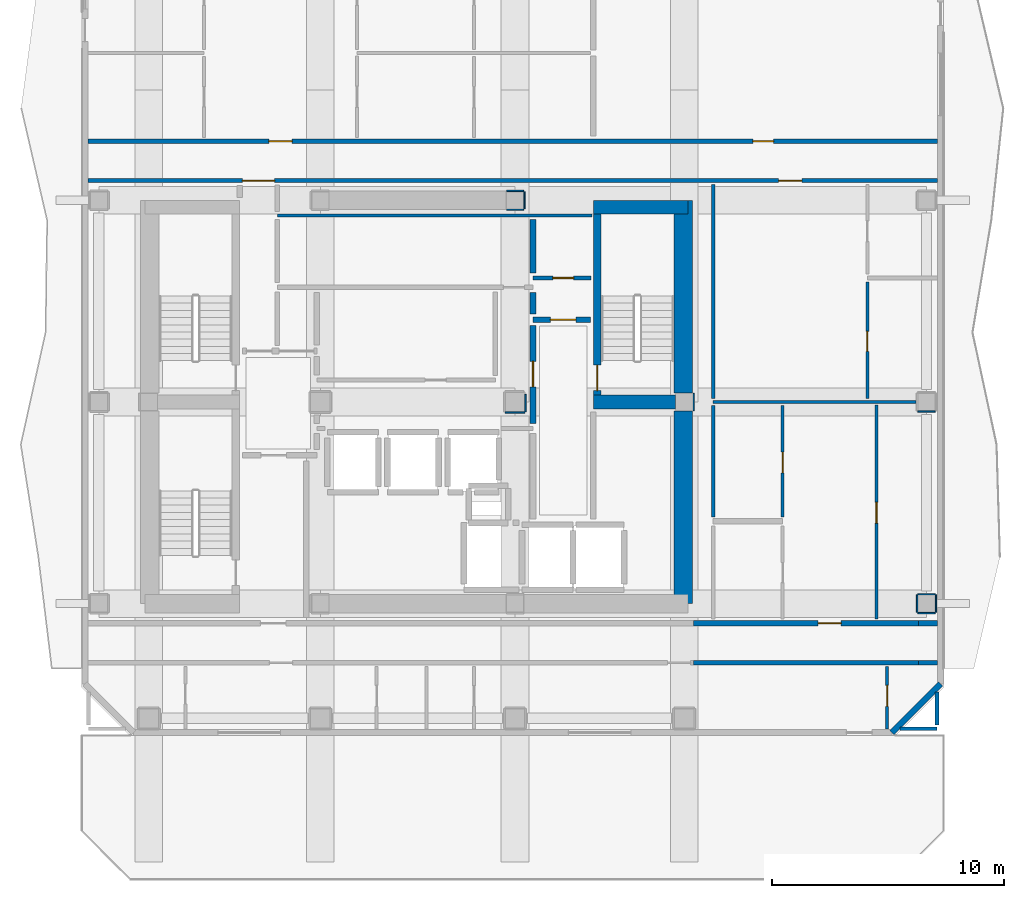
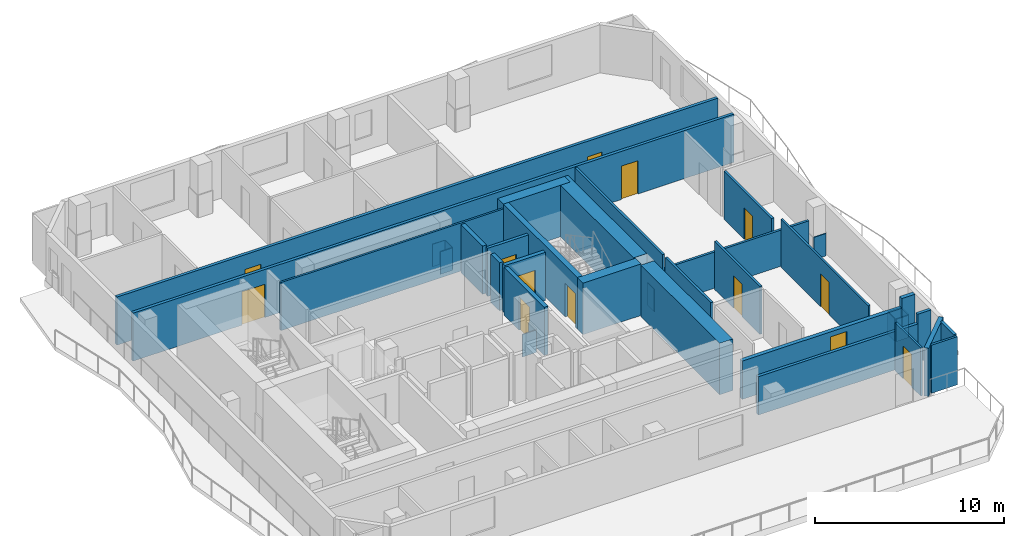
# One storey, part 4 of 9: 38 walls, 13 doors, 13 openings.
"""IFC4 building model written with IfcOpenShell, lengths in metres."""

from ifc_helpers import new_model, si_unit, direction, frame, frame_2d, origin, place, context, subcontext, project, spatial, rectangle, extrude, material, layer, layer_set, type_object, element, fill, save


model = new_model("IFC4")

# Units and contexts
model_context = context("Model", 3, precision=1e-05, world=origin(), true_north=direction((0.0, 1.0)))
body_context = subcontext(model_context, "Body", "Model", "MODEL_VIEW")
ifc_project = project(units=[si_unit("LENGTHUNIT", "METRE"), si_unit("AREAUNIT", "SQUARE_METRE"), si_unit("VOLUMEUNIT", "CUBIC_METRE"), si_unit("PLANEANGLEUNIT", "RADIAN"), si_unit("MASSUNIT", "GRAM", prefix="KILO")], contexts=[model_context])

# Site, building, storey
site_placement = place(None, origin())
site = spatial("IfcSite", under=ifc_project, at=site_placement, CompositionType="ELEMENT")
building_placement = place(site_placement, origin())
building = spatial("IfcBuilding", under=site, at=building_placement, Name="Solanera Arch Residences", CompositionType="ELEMENT")
storey_placement = place(building_placement, frame((0.0, 0.0, 231.280029296875)))
storey = spatial("IfcBuildingStorey", under=building, at=storey_placement, Name="L67", CompositionType="ELEMENT", Elevation=231.280029296875)

# Walls
ifc_material_1 = material(Name="Fire-Rated Gypsum Stud Partition", Category="gypsum")
ifc_layer_1 = layer(ifc_material_1, 0.06005859375)
ifc_layer_set_1 = layer_set([ifc_layer_1], Name="Fire-Rated Gypsum Stud Partition")
wall_type_1 = type_object("IfcWallType", Name="Column Acoustic Furring Wall 60", PredefinedType="PARTITIONING", material=ifc_layer_set_1)
for number, where, z_axis, x_axis, name in (
    (1, (28.8330078125, 38.992919921875, 0.0), (0.0, 0.0, 1.0), (1.0, 0.0, 0.0), "L67 Column Furring 4S"),
    (2, (28.8330078125, 39.806884765625, 0.0), (0.0, 0.0, 1.0), (1.0, 0.0, 0.0), "L67 Column Furring 4N"),
):
    element("IfcWall", number, at=place(storey_placement, frame(where, z_axis=z_axis, x_axis=x_axis)), inside=storey, type_object=wall_type_1, Name=name, PredefinedType="PARTITIONING", context=body_context, shape_type="SweptSolid", body=[
        extrude(rectangle(XDim=0.741943359375, YDim=0.06005859375, at=frame_2d((0.37109375, 0.0))), origin(), (0.0, 0.0, 1.0), 1.449951171875),
    ])
for number, where, z_axis, x_axis, name in (
    (3, (29.60693359375, 39.02490234375, 0.0), (0.0, 0.0, 1.0), (0.0, 1.0, 0.0), "L67 Column Furring 4E"),
    (4, (36.906982421875, 30.324951171875, 0.0), (0.0, 0.0, 1.0), (0.0, 1.0, 0.0), "L67 Column Furring 6E"),
):
    element("IfcWall", number, at=place(storey_placement, frame(where, z_axis=z_axis, x_axis=x_axis)), inside=storey, type_object=wall_type_1, Name=name, PredefinedType="PARTITIONING", context=body_context, shape_type="SweptSolid", body=[
        extrude(rectangle(XDim=0.75, YDim=0.06005859375, at=frame_2d((0.375, 0.0))), origin(), (0.0, 0.0, 1.0), 1.449951171875),
    ])
wall_1_placement = place(storey_placement, frame((28.77490234375, 30.242919921875, 0.0), z_axis=(0.0, 0.0, 1.0), x_axis=(1.0, 0.0, 0.0)))
element("IfcWall", 5, at=wall_1_placement, inside=storey, type_object=wall_type_1, Name="L67 Column Furring 8S", PredefinedType="PARTITIONING", context=body_context, shape_type="SweptSolid", body=[
    extrude(rectangle(XDim=0.85009765625, YDim=0.06005859375, at=frame_2d((0.425048828125, 0.0))), origin(), (0.0, 0.0, 1.0), 1.449951171875),
])
wall_2_placement = place(storey_placement, frame((29.656982421875, 30.27490234375, 0.0), z_axis=(0.0, 0.0, 1.0), x_axis=(0.0, 1.0, 0.0)))
element("IfcWall", 6, at=wall_2_placement, inside=storey, type_object=wall_type_1, Name="L67 Column Furring 8E", PredefinedType="PARTITIONING", context=body_context, shape_type="SweptSolid", body=[
    extrude(rectangle(XDim=0.757080078125, YDim=0.06005859375, at=frame_2d((0.37841796875, 0.0))), origin(), (0.0, 0.0, 1.0), 1.449951171875),
])
for number, where, z_axis, x_axis, name in (
    (7, (46.574951171875, 21.593017578125, 0.0), (0.0, 0.0, 1.0), (1.0, 0.0, 0.0), "L67 Column Furring 18S"),
    (8, (46.574951171875, 22.406982421875, 0.0), (0.0, 0.0, 1.0), (1.0, 0.0, 0.0), "L67 Column Furring 18N"),
    (9, (46.54296875, 21.625, 0.0), (0.0, 0.0, 1.0), (0.0, 1.0, 0.0), "L67 Column Furring 18W"),
    (10, (47.35693359375, 21.625, 0.0), (0.0, 0.0, 1.0), (0.0, 1.0, 0.0), "L67 Column Furring 18E"),
    (11, (46.574951171875, 30.29296875, 0.0), (0.0, 0.0, 1.0), (1.0, 0.0, 0.0), "L67 Column Furring 20S"),
):
    element("IfcWall", number, at=place(storey_placement, frame(where, z_axis=z_axis, x_axis=x_axis)), inside=storey, type_object=wall_type_1, Name=name, PredefinedType="PARTITIONING", context=body_context, shape_type="SweptSolid", body=[
        extrude(rectangle(XDim=0.75, YDim=0.06005859375, at=frame_2d((0.375, 0.0))), origin(), (0.0, 0.0, 1.0), 1.449951171875),
    ])

# Wall, opening, door
ifc_material_2 = material(Name="Concrete C40/50 (f'c = 45 MPa)", Category="concrete")
ifc_layer_2 = layer(ifc_material_2, 0.320068359375)
ifc_layer_set_2 = layer_set([ifc_layer_2], Name="Concrete C40/50 (f'c = 45 MPa)")
wall_type_2 = type_object("IfcWallType", Name="Core Shear Wall CW-320", PredefinedType="SHEAR", material=ifc_layer_set_2)
wall_3_placement = place(storey_placement, frame((32.739990234375, 31.0, 0.0), z_axis=(0.0, 0.0, 1.0), x_axis=(0.0, 1.0, 0.0)))
wall_3 = element("IfcWall", 12, at=wall_3_placement, inside=storey, type_object=wall_type_2, Name="L67 Stair ST-T2 West Shear Wall", PredefinedType="SHEAR", context=body_context, shape_type="SweptSolid", body=[
    extrude(rectangle(XDim=7.800048828125, YDim=0.320068359375, at=frame_2d((3.89990234375, 0.0))), origin(), (0.0, 0.0, 1.0), 3.320068359375),
])
opening_1_placement = place(wall_3_placement, frame((0.18994140625, 0.0, 0.0)))
opening_1 = element("IfcOpeningElement", 13, at=opening_1_placement, cuts=wall_3, Name="Opening DF-01", PredefinedType="OPENING", context=body_context, shape_type="SweptSolid", body=[
    extrude(rectangle(XDim=1.10009765625, YDim=2.14990234375, at=frame_2d((0.550048828125, 1.074951171875))), frame((0.0, 0.169921875, 0.0), z_axis=(0.0, -1.0, 0.0), x_axis=(1.0, 0.0, 0.0)), (0.0, 0.0, 1.0), 0.3401),
])
ifc_material_3 = material(Name="Fire-Rated Architectural Hardwood", Category="wood")
door_type_1 = type_object("IfcDoorType", Name="Stair Exit Fire Door DF-01", OperationType="NOTDEFINED", PredefinedType="DOOR", material=ifc_material_3)
door_1_placement = place(opening_1_placement, origin())
door_1 = element("IfcDoor", 14, at=door_1_placement, inside=storey, type_object=door_type_1, Name="DR-L67-STAIR-ST-T2", OperationType="SINGLE_SWING_RIGHT", OverallHeight=2.14990234375, OverallWidth=1.10009765625, PredefinedType="DOOR", context=body_context, shape_type="SweptSolid", body=[
    extrude(rectangle(XDim=1.10009765625, YDim=2.14990234375, at=frame_2d((0.550048828125, 1.074951171875))), frame((0.0, 0.02490234375, 0.0), z_axis=(0.0, -1.0, 0.0), x_axis=(1.0, 0.0, 0.0)), (0.0, 0.0, 1.0), 0.050048828125),
])
fill(opening_1, door_1)

# Walls
ifc_material_4 = material(Name="Concrete C40/50 (f'c = 45 MPa)", Category="concrete")
ifc_layer_3 = layer(ifc_material_4, 0.60009765625)
ifc_layer_set_3 = layer_set([ifc_layer_3], Name="Concrete C40/50 (f'c = 45 MPa)")
wall_type_3 = type_object("IfcWallType", Name="Core Shear Wall CW-600", PredefinedType="SHEAR", material=ifc_layer_set_3)
wall_4_placement = place(storey_placement, frame((32.580078125, 39.10009765625, 0.0), z_axis=(0.0, 0.0, 1.0), x_axis=(1.0, 0.0, 0.0)))
element("IfcWall", 15, at=wall_4_placement, inside=storey, type_object=wall_type_3, Name="L67 North-East Core Shear Wall", PredefinedType="SHEAR", context=body_context, shape_type="SweptSolid", body=[
    extrude(rectangle(XDim=4.079833984375, YDim=0.60009765625, at=frame_2d((2.0400390625, 0.0))), origin(), (0.0, 0.0, 1.0), 3.320068359375),
])
wall_5_placement = place(storey_placement, frame((32.580078125, 30.699951171875, 0.0), z_axis=(0.0, 0.0, 1.0), x_axis=(1.0, 0.0, 0.0)))
element("IfcWall", 16, at=wall_5_placement, inside=storey, type_object=wall_type_3, Name="L67 East Stair Far-Landing Shear Wall", PredefinedType="SHEAR", context=body_context, shape_type="SweptSolid", body=[
    extrude(rectangle(XDim=3.5400390625, YDim=0.60009765625, at=frame_2d((1.77001953125, 0.0))), origin(), (0.0, 0.0, 1.0), 3.320068359375),
])
ifc_material_5 = material(Name="Concrete C40/50 (f'c = 45 MPa)", Category="concrete")
ifc_layer_4 = layer(ifc_material_5, 0.800048828125)
ifc_layer_set_4 = layer_set([ifc_layer_4], Name="Concrete C40/50 (f'c = 45 MPa)")
wall_type_4 = type_object("IfcWallType", Name="Core Shear Wall CW-800", PredefinedType="SHEAR", material=ifc_layer_set_4)
wall_6_placement = place(storey_placement, frame((36.4599609375, 22.0, 0.0), z_axis=(0.0, 0.0, 1.0), x_axis=(0.0, 1.0, 0.0)))
element("IfcWall", 17, at=wall_6_placement, inside=storey, type_object=wall_type_4, Name="L67 East Core South Shear Wall", PredefinedType="SHEAR", context=body_context, shape_type="SweptSolid", body=[
    extrude(rectangle(XDim=8.320068359375, YDim=0.800048828125, at=frame_2d((4.16015625, 0.0))), origin(), (0.0, 0.0, 1.0), 3.320068359375),
])
wall_7_placement = place(storey_placement, frame((36.4599609375, 31.080078125, 0.0), z_axis=(0.0, 0.0, 1.0), x_axis=(0.0, 1.0, 0.0)))
element("IfcWall", 18, at=wall_7_placement, inside=storey, type_object=wall_type_4, Name="L67 East Core North Shear Wall", PredefinedType="SHEAR", context=body_context, shape_type="SweptSolid", body=[
    extrude(rectangle(XDim=8.31982421875, YDim=0.800048828125, at=frame_2d((4.159912109375, 0.0))), origin(), (0.0, 0.0, 1.0), 3.320068359375),
])
ifc_material_6 = material(Name="Autoclaved Aerated Concrete Blockwork", Category="masonry")
ifc_layer_5 = layer(ifc_material_6, 0.179931640625)
ifc_layer_set_5 = layer_set([ifc_layer_5], Name="Autoclaved Aerated Concrete Blockwork")
wall_type_5 = type_object("IfcWallType", Name="Corridor Fire Partition 180", PredefinedType="PARTITIONING", material=ifc_layer_set_5)
wall_8_placement = place(storey_placement, frame((36.888916015625, 19.449951171875, 0.0), z_axis=(0.0, 0.0, 1.0), x_axis=(1.0, 0.0, 0.0)))
element("IfcWall", 19, at=wall_8_placement, inside=storey, type_object=wall_type_5, Name="L67 Interior Partition H8 2", PredefinedType="PARTITIONING", context=body_context, shape_type="SweptSolid", body=[
    extrude(rectangle(XDim=9.72216796875, YDim=0.179931640625, at=frame_2d((4.861083984375, 0.0))), origin(), (0.0, 0.0, 1.0), 2.47705078125),
])
wall_9_placement = place(storey_placement, frame((46.611083984375, 19.449951171875, 0.0), z_axis=(0.0, 0.0, 1.0), x_axis=(1.0, 0.0, 0.0)))
element("IfcWall", 20, at=wall_9_placement, inside=storey, type_object=wall_type_5, Name="L67 Interior Partition H8 3", PredefinedType="PARTITIONING", context=body_context, shape_type="SweptSolid", body=[
    extrude(rectangle(XDim=0.802001953125, YDim=0.179931640625, at=frame_2d((0.40087890625, 0.0))), origin(), (0.0, 0.0, 1.0), 3.099853515625),
])

# Wall, opening, door
wall_10_placement = place(storey_placement, frame((29.97509765625, 36.050048828125, 0.0), z_axis=(0.0, 0.0, 1.0), x_axis=(1.0, 0.0, 0.0)))
wall_10 = element("IfcWall", 21, at=wall_10_placement, inside=storey, type_object=wall_type_5, Name="L67 Interior Partition H11", PredefinedType="PARTITIONING", context=body_context, shape_type="SweptSolid", body=[
    extrude(rectangle(XDim=2.5048828125, YDim=0.179931640625, at=frame_2d((1.25244140625, 0.0))), origin(), (0.0, 0.0, 1.0), 3.099853515625),
])
opening_2_placement = place(wall_10_placement, frame((0.85205078125, 0.0, 0.0)))
opening_2 = element("IfcOpeningElement", 22, at=opening_2_placement, cuts=wall_10, Name="Opening DI-02", PredefinedType="OPENING", context=body_context, shape_type="SweptSolid", body=[
    extrude(rectangle(XDim=0.89990234375, YDim=2.10009765625, at=frame_2d((0.449951171875, 1.050048828125))), frame((0.0, 0.10009765625, 0.0), z_axis=(0.0, -1.0, 0.0), x_axis=(1.0, 0.0, 0.0)), (0.0, 0.0, 1.0), 0.1999),
])
ifc_material_7 = material(Name="Fire-Rated Architectural Hardwood", Category="wood")
door_type_2 = type_object("IfcDoorType", Name="Suite Room Swing Door DI-02", OperationType="NOTDEFINED", PredefinedType="DOOR", material=ifc_material_7)
door_2_placement = place(opening_2_placement, origin())
door_2 = element("IfcDoor", 23, at=door_2_placement, inside=storey, type_object=door_type_2, Name="DR-L67-IN-011", OperationType="SINGLE_SWING_LEFT", OverallHeight=2.10009765625, OverallWidth=0.89990234375, PredefinedType="DOOR", context=body_context, shape_type="SweptSolid", body=[
    extrude(rectangle(XDim=0.89990234375, YDim=2.10009765625, at=frame_2d((0.449951171875, 1.050048828125))), frame((0.0, 0.02490234375, 0.0), z_axis=(0.0, -1.0, 0.0), x_axis=(1.0, 0.0, 0.0)), (0.0, 0.0, 1.0), 0.050048828125),
])
fill(opening_2, door_2)

# Wall, openings, doors
wall_11_placement = place(storey_placement, frame((10.787109375, 40.25, 0.0), z_axis=(0.0, 0.0, 1.0), x_axis=(1.0, 0.0, 0.0)))
wall_11 = element("IfcWall", 24, at=wall_11_placement, inside=storey, type_object=wall_type_5, Name="L67 Interior Partition H13", PredefinedType="PARTITIONING", context=body_context, shape_type="SweptSolid", body=[
    extrude(rectangle(XDim=36.6259765625, YDim=0.179931640625, at=frame_2d((18.31298828125, 0.0))), origin(), (0.0, 0.0, 1.0), 3.099853515625),
])
opening_3_placement = place(wall_11_placement, frame((6.64794921875, 0.0, 0.0)))
opening_3 = element("IfcOpeningElement", 25, at=opening_3_placement, cuts=wall_11, Name="Opening DF-03", PredefinedType="OPENING", context=body_context, shape_type="SweptSolid", body=[
    extrude(rectangle(XDim=1.39990234375, YDim=2.14990234375, at=frame_2d((0.699951171875, 1.074951171875))), frame((0.0, 0.10009765625, 0.0), z_axis=(0.0, -1.0, 0.0), x_axis=(1.0, 0.0, 0.0)), (0.0, 0.0, 1.0), 0.1999),
])
opening_4_placement = place(wall_11_placement, frame((29.7880859375, 0.0, 0.0)))
opening_4 = element("IfcOpeningElement", 26, at=opening_4_placement, cuts=wall_11, Name="Opening DI-01", PredefinedType="OPENING", context=body_context, shape_type="SweptSolid", body=[
    extrude(rectangle(XDim=1.0, YDim=2.14990234375, at=frame_2d((0.5, 1.074951171875))), frame((0.0, 0.10009765625, 0.0), z_axis=(0.0, -1.0, 0.0), x_axis=(1.0, 0.0, 0.0)), (0.0, 0.0, 1.0), 0.1999),
])
ifc_material_8 = material(Name="Fire-Rated Architectural Hardwood", Category="wood")
door_type_3 = type_object("IfcDoorType", Name="Corridor Smoke Door DF-03", OperationType="NOTDEFINED", PredefinedType="DOOR", material=ifc_material_8)
door_3_placement = place(opening_3_placement, origin())
door_3 = element("IfcDoor", 27, at=door_3_placement, inside=storey, type_object=door_type_3, Name="DR-L67-IN-009", OperationType="SINGLE_SWING_LEFT", OverallHeight=2.14990234375, OverallWidth=1.39990234375, PredefinedType="DOOR", context=body_context, shape_type="SweptSolid", body=[
    extrude(rectangle(XDim=1.39990234375, YDim=2.14990234375, at=frame_2d((0.699951171875, 1.074951171875))), frame((0.0, 0.02490234375, 0.0), z_axis=(0.0, -1.0, 0.0), x_axis=(1.0, 0.0, 0.0)), (0.0, 0.0, 1.0), 0.050048828125),
])
fill(opening_3, door_3)
ifc_material_9 = material(Name="Fire-Rated Architectural Hardwood", Category="wood")
door_type_4 = type_object("IfcDoorType", Name="Unit Entrance Fire Door DI-01", OperationType="NOTDEFINED", PredefinedType="DOOR", material=ifc_material_9)
door_4_placement = place(opening_4_placement, origin())
door_4 = element("IfcDoor", 28, at=door_4_placement, inside=storey, type_object=door_type_4, Name="DR-L67-IN-032", OperationType="SINGLE_SWING_RIGHT", OverallHeight=2.14990234375, OverallWidth=1.0, PredefinedType="DOOR", context=body_context, shape_type="SweptSolid", body=[
    extrude(rectangle(XDim=1.0, YDim=2.14990234375, at=frame_2d((0.5, 1.074951171875))), frame((0.0, 0.02490234375, 0.0), z_axis=(0.0, -1.0, 0.0), x_axis=(1.0, 0.0, 0.0)), (0.0, 0.0, 1.0), 0.050048828125),
])
fill(opening_4, door_4)

wall_12_placement = place(storey_placement, frame((10.787109375, 41.949951171875, 0.0), z_axis=(0.0, 0.0, 1.0), x_axis=(1.0, 0.0, 0.0)))
wall_12 = element("IfcWall", 29, at=wall_12_placement, inside=storey, type_object=wall_type_5, Name="L67 Interior Partition H14", PredefinedType="PARTITIONING", context=body_context, shape_type="SweptSolid", body=[
    extrude(rectangle(XDim=36.6259765625, YDim=0.179931640625, at=frame_2d((18.31298828125, 0.0))), origin(), (0.0, 0.0, 1.0), 3.099853515625),
])
opening_5_placement = place(wall_12_placement, frame((7.794921875, 0.0, 0.0)))
opening_5 = element("IfcOpeningElement", 30, at=opening_5_placement, cuts=wall_12, Name="Opening DI-01", PredefinedType="OPENING", context=body_context, shape_type="SweptSolid", body=[
    extrude(rectangle(XDim=1.0, YDim=2.14990234375, at=frame_2d((0.5, 1.074951171875))), frame((0.0, 0.10009765625, 0.0), z_axis=(0.0, -1.0, 0.0), x_axis=(1.0, 0.0, 0.0)), (0.0, 0.0, 1.0), 0.1999),
])
opening_6_placement = place(wall_12_placement, frame((28.672119140625, 0.0, 0.0)))
opening_6 = element("IfcOpeningElement", 31, at=opening_6_placement, cuts=wall_12, Name="Opening DI-02", PredefinedType="OPENING", context=body_context, shape_type="SweptSolid", body=[
    extrude(rectangle(XDim=0.89990234375, YDim=2.10009765625, at=frame_2d((0.449951171875, 1.050048828125))), frame((0.0, 0.10009765625, 0.0), z_axis=(0.0, -1.0, 0.0), x_axis=(1.0, 0.0, 0.0)), (0.0, 0.0, 1.0), 0.1999),
])
door_5_placement = place(opening_6_placement, origin())
door_5 = element("IfcDoor", 32, at=door_5_placement, inside=storey, type_object=door_type_2, Name="DR-L67-IN-027", OperationType="SINGLE_SWING_LEFT", OverallHeight=2.10009765625, OverallWidth=0.89990234375, PredefinedType="DOOR", context=body_context, shape_type="SweptSolid", body=[
    extrude(rectangle(XDim=0.89990234375, YDim=2.10009765625, at=frame_2d((0.449951171875, 1.050048828125))), frame((0.0, 0.02490234375, 0.0), z_axis=(0.0, -1.0, 0.0), x_axis=(1.0, 0.0, 0.0)), (0.0, 0.0, 1.0), 0.050048828125),
])
fill(opening_6, door_5)
door_6_placement = place(opening_5_placement, origin())
door_6 = element("IfcDoor", 33, at=door_6_placement, inside=storey, type_object=door_type_4, Name="DR-L67-IN-020", OperationType="SINGLE_SWING_RIGHT", OverallHeight=2.14990234375, OverallWidth=1.0, PredefinedType="DOOR", context=body_context, shape_type="SweptSolid", body=[
    extrude(rectangle(XDim=1.0, YDim=2.14990234375, at=frame_2d((0.5, 1.074951171875))), frame((0.0, 0.02490234375, 0.0), z_axis=(0.0, -1.0, 0.0), x_axis=(1.0, 0.0, 0.0)), (0.0, 0.0, 1.0), 0.050048828125),
])
fill(opening_5, door_6)

# Walls
wall_13_placement = place(storey_placement, frame((47.39990234375, 16.76806640625, 0.0), z_axis=(0.0, 0.0, 1.0), x_axis=(0.0, 1.0, 0.0)))
element("IfcWall", 34, at=wall_13_placement, inside=storey, type_object=wall_type_5, Name="L67 Interior Partition V11 1", PredefinedType="PARTITIONING", context=body_context, shape_type="SweptSolid", body=[
    extrude(rectangle(XDim=1.4208984375, YDim=0.179931640625, at=frame_2d((0.71044921875, 0.0))), origin(), (0.0, 0.0, 1.0), 3.099853515625),
])
ifc_material_10 = material(Name="Precast Concrete C35/45", Category="concrete")
ifc_layer_6 = layer(ifc_material_10, 0.260009765625)
ifc_layer_set_6 = layer_set([ifc_layer_6], Name="Precast Concrete C35/45")
wall_type_6 = type_object("IfcWallType", Name="Exterior Wall Precast Masonry-Frame 260", PredefinedType="STANDARD", material=ifc_layer_set_6)
wall_14_placement = place(storey_placement, frame((47.554931640625, 18.544921875, 0.0), z_axis=(0.0, 0.0, 1.0), x_axis=(-0.707106781187, -0.707106781187, 0.0)))
element("IfcWall", 35, at=wall_14_placement, inside=storey, type_object=wall_type_6, Name="L67 Tower Exterior Precast Masonry-Frame Wall CH5", PredefinedType="STANDARD", context=body_context, shape_type="SweptSolid", body=[
    extrude(rectangle(XDim=2.9697265625, YDim=0.260009765625, at=frame_2d((1.48486328125, 0.0))), origin(), (0.0, 0.0, 1.0), 3.099853515625),
])

# Wall, opening, door
ifc_material_11 = material(Name="Autoclaved Aerated Concrete Blockwork", Category="masonry")
ifc_layer_7 = layer(ifc_material_11, 0.239990234375)
ifc_layer_set_7 = layer_set([ifc_layer_7], Name="Autoclaved Aerated Concrete Blockwork")
wall_type_7 = type_object("IfcWallType", Name="Shaft Wall Fire-Rated 240", PredefinedType="PARTITIONING", material=ifc_layer_set_7)
wall_15_placement = place(storey_placement, frame((36.888916015625, 21.14990234375, 0.0), z_axis=(0.0, 0.0, 1.0), x_axis=(1.0, 0.0, 0.0)))
wall_15 = element("IfcWall", 36, at=wall_15_placement, inside=storey, type_object=wall_type_7, Name="L67 Interior Partition H1 2", PredefinedType="PARTITIONING", context=body_context, shape_type="SweptSolid", body=[
    extrude(rectangle(XDim=9.72216796875, YDim=0.239990234375, at=frame_2d((4.861083984375, 0.0))), origin(), (0.0, 0.0, 1.0), 2.47705078125),
])
opening_7_placement = place(wall_15_placement, frame((5.3798828125, 0.0, 0.0)))
opening_7 = element("IfcOpeningElement", 37, at=opening_7_placement, cuts=wall_15, Name="Opening DI-01", PredefinedType="OPENING", context=body_context, shape_type="SweptSolid", body=[
    extrude(rectangle(XDim=1.0, YDim=2.14990234375, at=frame_2d((0.5, 1.074951171875))), frame((0.0, 0.1298828125, 0.0), z_axis=(0.0, -1.0, 0.0), x_axis=(1.0, 0.0, 0.0)), (0.0, 0.0, 1.0), 0.26),
])
door_7_placement = place(opening_7_placement, origin())
door_7 = element("IfcDoor", 38, at=door_7_placement, inside=storey, type_object=door_type_4, Name="DR-L67-IN-028", OperationType="SINGLE_SWING_RIGHT", OverallHeight=2.14990234375, OverallWidth=1.0, PredefinedType="DOOR", context=body_context, shape_type="SweptSolid", body=[
    extrude(rectangle(XDim=1.0, YDim=2.14990234375, at=frame_2d((0.5, 1.074951171875))), frame((0.0, 0.02490234375, 0.0), z_axis=(0.0, -1.0, 0.0), x_axis=(1.0, 0.0, 0.0)), (0.0, 0.0, 1.0), 0.050048828125),
])
fill(opening_7, door_7)

# Wall
wall_16_placement = place(storey_placement, frame((46.611083984375, 21.14990234375, 0.0), z_axis=(0.0, 0.0, 1.0), x_axis=(1.0, 0.0, 0.0)))
element("IfcWall", 39, at=wall_16_placement, inside=storey, type_object=wall_type_7, Name="L67 Interior Partition H1 3", PredefinedType="PARTITIONING", context=body_context, shape_type="SweptSolid", body=[
    extrude(rectangle(XDim=0.802001953125, YDim=0.239990234375, at=frame_2d((0.40087890625, 0.0))), origin(), (0.0, 0.0, 1.0), 3.099853515625),
])

# Wall, opening, door
wall_17_placement = place(storey_placement, frame((29.97509765625, 34.25, 0.0), z_axis=(0.0, 0.0, 1.0), x_axis=(1.0, 0.0, 0.0)))
wall_17 = element("IfcWall", 40, at=wall_17_placement, inside=storey, type_object=wall_type_7, Name="L67 Interior Partition H6", PredefinedType="PARTITIONING", context=body_context, shape_type="SweptSolid", body=[
    extrude(rectangle(XDim=2.474853515625, YDim=0.239990234375, at=frame_2d((1.2373046875, 0.0))), origin(), (0.0, 0.0, 1.0), 3.099853515625),
])
opening_8_placement = place(wall_17_placement, frame((0.751953125, 0.0, 0.0)))
opening_8 = element("IfcOpeningElement", 41, at=opening_8_placement, cuts=wall_17, Name="Opening DF-02", PredefinedType="OPENING", context=body_context, shape_type="SweptSolid", body=[
    extrude(rectangle(XDim=1.10009765625, YDim=2.14990234375, at=frame_2d((0.550048828125, 1.074951171875))), frame((0.0, 0.1298828125, 0.0), z_axis=(0.0, -1.0, 0.0), x_axis=(1.0, 0.0, 0.0)), (0.0, 0.0, 1.0), 0.26),
])
ifc_material_12 = material(Name="Fire-Rated Architectural Hardwood", Category="wood")
door_type_5 = type_object("IfcDoorType", Name="Firefighting Lobby Fire Door DF-02", OperationType="NOTDEFINED", PredefinedType="DOOR", material=ifc_material_12)
door_8_placement = place(opening_8_placement, origin())
door_8 = element("IfcDoor", 42, at=door_8_placement, inside=storey, type_object=door_type_5, Name="DR-L67-IN-007", OperationType="SINGLE_SWING_LEFT", OverallHeight=2.14990234375, OverallWidth=1.10009765625, PredefinedType="DOOR", context=body_context, shape_type="SweptSolid", body=[
    extrude(rectangle(XDim=1.10009765625, YDim=2.14990234375, at=frame_2d((0.550048828125, 1.074951171875))), frame((0.0, 0.02490234375, 0.0), z_axis=(0.0, -1.0, 0.0), x_axis=(1.0, 0.0, 0.0)), (0.0, 0.0, 1.0), 0.050048828125),
])
fill(opening_8, door_8)

wall_18_placement = place(storey_placement, frame((29.97509765625, 29.76806640625, 0.0), z_axis=(0.0, 0.0, 1.0), x_axis=(0.0, 1.0, 0.0)))
wall_18 = element("IfcWall", 43, at=wall_18_placement, inside=storey, type_object=wall_type_7, Name="L67 Interior Partition V4 2", PredefinedType="PARTITIONING", context=body_context, shape_type="SweptSolid", body=[
    extrude(rectangle(XDim=4.23388671875, YDim=0.239990234375, at=frame_2d((2.116943359375, 0.0))), origin(), (0.0, 0.0, 1.0), 3.099853515625),
])
opening_9_placement = place(wall_18_placement, frame((1.58203125, 0.0, 0.0)))
opening_9 = element("IfcOpeningElement", 44, at=opening_9_placement, cuts=wall_18, Name="Opening DF-02", PredefinedType="OPENING", context=body_context, shape_type="SweptSolid", body=[
    extrude(rectangle(XDim=1.10009765625, YDim=2.14990234375, at=frame_2d((0.550048828125, 1.074951171875))), frame((0.0, 0.1298828125, 0.0), z_axis=(0.0, -1.0, 0.0), x_axis=(1.0, 0.0, 0.0)), (0.0, 0.0, 1.0), 0.26),
])
door_9_placement = place(opening_9_placement, origin())
door_9 = element("IfcDoor", 45, at=door_9_placement, inside=storey, type_object=door_type_5, Name="DR-L67-IN-006", OperationType="SINGLE_SWING_RIGHT", OverallHeight=2.14990234375, OverallWidth=1.10009765625, PredefinedType="DOOR", context=body_context, shape_type="SweptSolid", body=[
    extrude(rectangle(XDim=1.10009765625, YDim=2.14990234375, at=frame_2d((0.550048828125, 1.074951171875))), frame((0.0, 0.02490234375, 0.0), z_axis=(0.0, -1.0, 0.0), x_axis=(1.0, 0.0, 0.0)), (0.0, 0.0, 1.0), 0.050048828125),
])
fill(opening_9, door_9)

# Walls
wall_19_placement = place(storey_placement, frame((29.97509765625, 34.498046875, 0.0), z_axis=(0.0, 0.0, 1.0), x_axis=(0.0, 1.0, 0.0)))
element("IfcWall", 46, at=wall_19_placement, inside=storey, type_object=wall_type_7, Name="L67 Interior Partition V4 3", PredefinedType="PARTITIONING", context=body_context, shape_type="SweptSolid", body=[
    extrude(rectangle(XDim=0.924072265625, YDim=0.239990234375, at=frame_2d((0.4619140625, 0.0))), origin(), (0.0, 0.0, 1.0), 3.099853515625),
])
wall_20_placement = place(storey_placement, frame((29.97509765625, 36.26806640625, 0.0), z_axis=(0.0, 0.0, 1.0), x_axis=(0.0, 1.0, 0.0)))
element("IfcWall", 47, at=wall_20_placement, inside=storey, type_object=wall_type_7, Name="L67 Interior Partition V4 4", PredefinedType="PARTITIONING", context=body_context, shape_type="SweptSolid", body=[
    extrude(rectangle(XDim=2.2939453125, YDim=0.239990234375, at=frame_2d((1.14697265625, 0.0))), origin(), (0.0, 0.0, 1.0), 3.099853515625),
])
ifc_material_13 = material(Name="Fire-Rated Gypsum Stud Partition", Category="gypsum")
ifc_layer_8 = layer(ifc_material_13, 0.1201171875)
ifc_layer_set_8 = layer_set([ifc_layer_8], Name="Fire-Rated Gypsum Stud Partition")
wall_type_8 = type_object("IfcWallType", Name="Unit Drywall Partition 120", PredefinedType="PARTITIONING", material=ifc_layer_set_8)
wall_21_placement = place(storey_placement, frame((18.949951171875, 38.75, 0.0), z_axis=(0.0, 0.0, 1.0), x_axis=(1.0, 0.0, 0.0)))
element("IfcWall", 48, at=wall_21_placement, inside=storey, type_object=wall_type_8, Name="L67 Interior Partition H19", PredefinedType="PARTITIONING", context=body_context, shape_type="SweptSolid", body=[
    extrude(rectangle(XDim=13.56005859375, YDim=0.1201171875, at=frame_2d((6.780029296875, 0.0))), origin(), (0.0, 0.0, 1.0), 3.099853515625),
])

# Wall, opening, door
wall_22_placement = place(storey_placement, frame((44.794921875, 21.337890625, 0.0), z_axis=(0.0, 0.0, 1.0), x_axis=(0.0, 1.0, 0.0)))
wall_22 = element("IfcWall", 49, at=wall_22_placement, inside=storey, type_object=wall_type_8, Name="L67 Interior Partition V22", PredefinedType="PARTITIONING", context=body_context, shape_type="SweptSolid", body=[
    extrude(rectangle(XDim=9.22412109375, YDim=0.1201171875, at=frame_2d((4.612060546875, 0.0))), origin(), (0.0, 0.0, 1.0), 3.099853515625),
])
opening_10_placement = place(wall_22_placement, frame((4.136962890625, 0.0, 0.0)))
opening_10 = element("IfcOpeningElement", 50, at=opening_10_placement, cuts=wall_22, Name="Opening DI-02", PredefinedType="OPENING", context=body_context, shape_type="SweptSolid", body=[
    extrude(rectangle(XDim=0.89990234375, YDim=2.10009765625, at=frame_2d((0.449951171875, 1.050048828125))), frame((0.0, 0.070068359375, 0.0), z_axis=(0.0, -1.0, 0.0), x_axis=(1.0, 0.0, 0.0)), (0.0, 0.0, 1.0), 0.1401),
])
door_10_placement = place(opening_10_placement, origin())
door_10 = element("IfcDoor", 51, at=door_10_placement, inside=storey, type_object=door_type_2, Name="DR-L67-IN-031", OperationType="SINGLE_SWING_LEFT", OverallHeight=2.10009765625, OverallWidth=0.89990234375, PredefinedType="DOOR", context=body_context, shape_type="SweptSolid", body=[
    extrude(rectangle(XDim=0.89990234375, YDim=2.10009765625, at=frame_2d((0.449951171875, 1.050048828125))), frame((0.0, 0.02490234375, 0.0), z_axis=(0.0, -1.0, 0.0), x_axis=(1.0, 0.0, 0.0)), (0.0, 0.0, 1.0), 0.050048828125),
])
fill(opening_10, door_10)

wall_23_placement = place(storey_placement, frame((45.25, 16.5869140625, 0.0), z_axis=(0.0, 0.0, 1.0), x_axis=(0.0, 1.0, 0.0)))
wall_23 = element("IfcWall", 52, at=wall_23_placement, inside=storey, type_object=wall_type_8, Name="L67 Interior Partition V23", PredefinedType="PARTITIONING", context=body_context, shape_type="SweptSolid", body=[
    extrude(rectangle(XDim=2.705078125, YDim=0.1201171875, at=frame_2d((1.3525390625, 0.0))), origin(), (0.0, 0.0, 1.0), 3.099853515625),
])
opening_11_placement = place(wall_23_placement, frame((0.988037109375, 0.0, 0.0)))
opening_11 = element("IfcOpeningElement", 53, at=opening_11_placement, cuts=wall_23, Name="Opening DI-02", PredefinedType="OPENING", context=body_context, shape_type="SweptSolid", body=[
    extrude(rectangle(XDim=0.89990234375, YDim=2.10009765625, at=frame_2d((0.449951171875, 1.050048828125))), frame((0.0, 0.070068359375, 0.0), z_axis=(0.0, -1.0, 0.0), x_axis=(1.0, 0.0, 0.0)), (0.0, 0.0, 1.0), 0.1401),
])
door_11_placement = place(opening_11_placement, origin())
door_11 = element("IfcDoor", 54, at=door_11_placement, inside=storey, type_object=door_type_2, Name="DR-L67-IN-019", OperationType="SINGLE_SWING_LEFT", OverallHeight=2.10009765625, OverallWidth=0.89990234375, PredefinedType="DOOR", context=body_context, shape_type="SweptSolid", body=[
    extrude(rectangle(XDim=0.89990234375, YDim=2.10009765625, at=frame_2d((0.449951171875, 1.050048828125))), frame((0.0, 0.02490234375, 0.0), z_axis=(0.0, -1.0, 0.0), x_axis=(1.0, 0.0, 0.0)), (0.0, 0.0, 1.0), 0.050048828125),
])
fill(opening_11, door_11)

# Walls
ifc_material_14 = material(Name="Autoclaved Aerated Concrete Blockwork", Category="masonry")
ifc_layer_9 = layer(ifc_material_14, 0.139892578125)
ifc_layer_set_9 = layer_set([ifc_layer_9], Name="Autoclaved Aerated Concrete Blockwork")
wall_type_9 = type_object("IfcWallType", Name="Wet-Room Partition 140", PredefinedType="PARTITIONING", material=ifc_layer_set_9)
wall_24_placement = place(storey_placement, frame((45.81103515625, 16.60009765625, 0.0), z_axis=(0.0, 0.0, 1.0), x_axis=(1.0, 0.0, 0.0)))
element("IfcWall", 55, at=wall_24_placement, inside=storey, type_object=wall_type_9, Name="L67 Interior Partition H15 2", PredefinedType="PARTITIONING", context=body_context, shape_type="SweptSolid", body=[
    extrude(rectangle(XDim=1.5888671875, YDim=0.139892578125, at=frame_2d((0.79443359375, 0.0))), origin(), (0.0, 0.0, 1.0), 3.099853515625),
])
wall_25_placement = place(storey_placement, frame((37.75, 30.699951171875, 0.0), z_axis=(0.0, 0.0, 1.0), x_axis=(1.0, 0.0, 0.0)))
element("IfcWall", 56, at=wall_25_placement, inside=storey, type_object=wall_type_9, Name="L67 Interior Partition H16", PredefinedType="PARTITIONING", context=body_context, shape_type="SweptSolid", body=[
    extrude(rectangle(XDim=8.742919921875, YDim=0.139892578125, at=frame_2d((4.37158203125, 0.0))), origin(), (0.0, 0.0, 1.0), 2.3349609375),
])
wall_26_placement = place(storey_placement, frame((37.75, 25.748046875, 0.0), z_axis=(0.0, 0.0, 1.0), x_axis=(0.0, 1.0, 0.0)))
element("IfcWall", 57, at=wall_26_placement, inside=storey, type_object=wall_type_9, Name="L67 Interior Partition V17 2", PredefinedType="PARTITIONING", context=body_context, shape_type="SweptSolid", body=[
    extrude(rectangle(XDim=4.803955078125, YDim=0.139892578125, at=frame_2d((2.40185546875, 0.0))), origin(), (0.0, 0.0, 1.0), 3.099853515625),
])
wall_27_placement = place(storey_placement, frame((37.75, 30.847900390625, 0.0), z_axis=(0.0, 0.0, 1.0), x_axis=(0.0, 1.0, 0.0)))
element("IfcWall", 58, at=wall_27_placement, inside=storey, type_object=wall_type_9, Name="L67 Interior Partition V17 3", PredefinedType="PARTITIONING", context=body_context, shape_type="SweptSolid", body=[
    extrude(rectangle(XDim=9.234130859375, YDim=0.139892578125, at=frame_2d((4.6171875, 0.0))), origin(), (0.0, 0.0, 1.0), 3.099853515625),
])

# Wall, opening, door
wall_28_placement = place(storey_placement, frame((40.741943359375, 25.748046875, 0.0), z_axis=(0.0, 0.0, 1.0), x_axis=(0.0, 1.0, 0.0)))
wall_28 = element("IfcWall", 59, at=wall_28_placement, inside=storey, type_object=wall_type_9, Name="L67 Interior Partition V18 2", PredefinedType="PARTITIONING", context=body_context, shape_type="SweptSolid", body=[
    extrude(rectangle(XDim=4.803955078125, YDim=0.139892578125, at=frame_2d((2.40185546875, 0.0))), origin(), (0.0, 0.0, 1.0), 3.099853515625),
])
opening_12_placement = place(wall_28_placement, frame((1.888916015625, 0.0, 0.0)))
opening_12 = element("IfcOpeningElement", 60, at=opening_12_placement, cuts=wall_28, Name="Opening DI-03", PredefinedType="OPENING", context=body_context, shape_type="SweptSolid", body=[
    extrude(rectangle(XDim=0.89990234375, YDim=2.10009765625, at=frame_2d((0.449951171875, 1.050048828125))), frame((0.0, 0.079833984375, 0.0), z_axis=(0.0, -1.0, 0.0), x_axis=(1.0, 0.0, 0.0)), (0.0, 0.0, 1.0), 0.1599),
])
ifc_material_15 = material(Name="Fire-Rated Architectural Hardwood", Category="wood")
door_type_6 = type_object("IfcDoorType", Name="Bedroom Swing Door DI-03", OperationType="NOTDEFINED", PredefinedType="DOOR", material=ifc_material_15)
door_12_placement = place(opening_12_placement, origin())
door_12 = element("IfcDoor", 61, at=door_12_placement, inside=storey, type_object=door_type_6, Name="DR-L67-IN-030", OperationType="SINGLE_SWING_RIGHT", OverallHeight=2.10009765625, OverallWidth=0.89990234375, PredefinedType="DOOR", context=body_context, shape_type="SweptSolid", body=[
    extrude(rectangle(XDim=0.89990234375, YDim=2.10009765625, at=frame_2d((0.449951171875, 1.050048828125))), frame((0.0, 0.02490234375, 0.0), z_axis=(0.0, -1.0, 0.0), x_axis=(1.0, 0.0, 0.0)), (0.0, 0.0, 1.0), 0.050048828125),
])
fill(opening_12, door_12)

wall_29_placement = place(storey_placement, frame((44.39990234375, 30.847900390625, 0.0), z_axis=(0.0, 0.0, 1.0), x_axis=(0.0, 1.0, 0.0)))
wall_29 = element("IfcWall", 62, at=wall_29_placement, inside=storey, type_object=wall_type_9, Name="L67 Interior Partition V19 1", PredefinedType="PARTITIONING", context=body_context, shape_type="SweptSolid", body=[
    extrude(rectangle(XDim=5.0341796875, YDim=0.139892578125, at=frame_2d((2.51708984375, 0.0))), origin(), (0.0, 0.0, 1.0), 3.099853515625),
])
opening_13_placement = place(wall_29_placement, frame((2.034912109375, 0.0, 0.0)))
opening_13 = element("IfcOpeningElement", 63, at=opening_13_placement, cuts=wall_29, Name="Opening DI-05", PredefinedType="OPENING", context=body_context, shape_type="SweptSolid", body=[
    extrude(rectangle(XDim=0.860107421875, YDim=2.02001953125, at=frame_2d((0.43017578125, 1.010009765625))), frame((0.0, 0.079833984375, 0.0), z_axis=(0.0, -1.0, 0.0), x_axis=(1.0, 0.0, 0.0)), (0.0, 0.0, 1.0), 0.1599),
])
ifc_material_16 = material(Name="Fire-Rated Architectural Hardwood", Category="wood")
door_type_7 = type_object("IfcDoorType", Name="Bathroom Swing Door DI-05", OperationType="NOTDEFINED", PredefinedType="DOOR", material=ifc_material_16)
door_13_placement = place(opening_13_placement, origin())
door_13 = element("IfcDoor", 64, at=door_13_placement, inside=storey, type_object=door_type_7, Name="DR-L67-IN-034", OperationType="SINGLE_SWING_RIGHT", OverallHeight=2.02001953125, OverallWidth=0.860107421875, PredefinedType="DOOR", context=body_context, shape_type="SweptSolid", body=[
    extrude(rectangle(XDim=0.860107421875, YDim=2.02001953125, at=frame_2d((0.43017578125, 1.010009765625))), frame((0.0, 0.02490234375, 0.0), z_axis=(0.0, -1.0, 0.0), x_axis=(1.0, 0.0, 0.0)), (0.0, 0.0, 1.0), 0.050048828125),
])
fill(opening_13, door_13)

save(model, "model.ifc")
